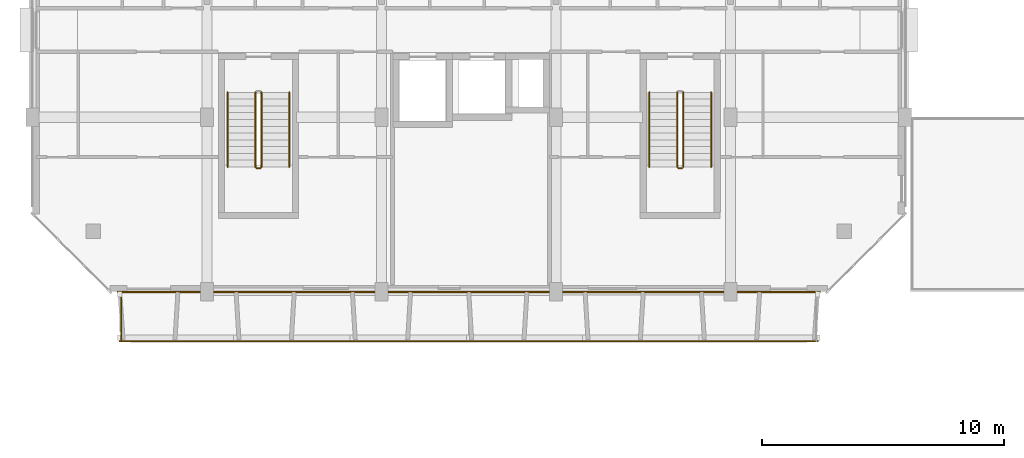
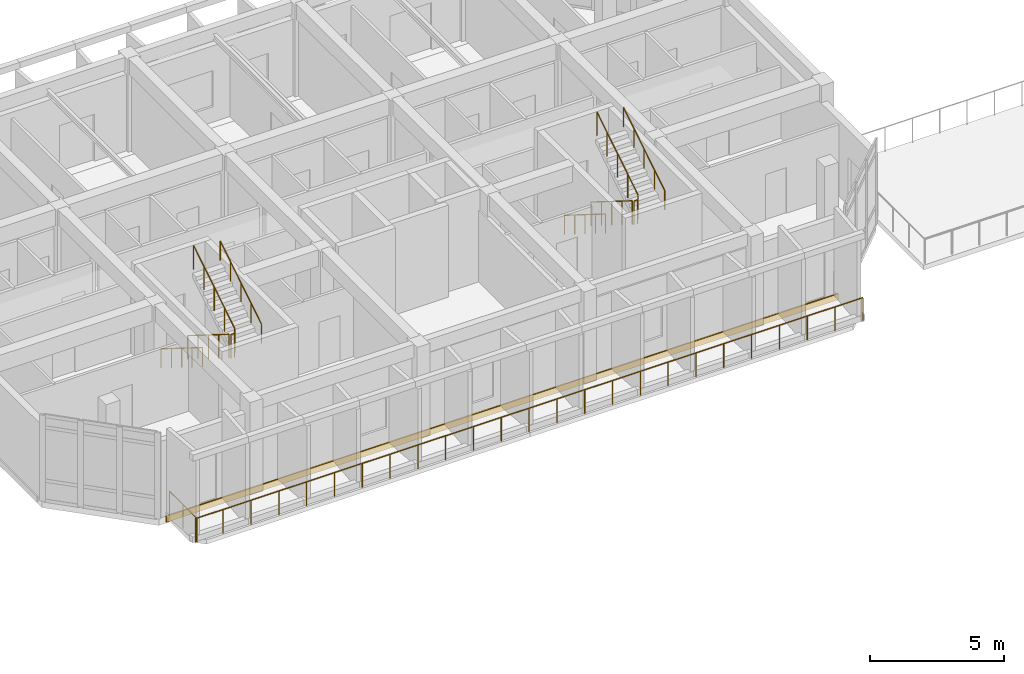
# One storey, part 73 of 85: 12 railings, 1 covering.
"""IFC4 building model written with IfcOpenShell, lengths in metres."""

from ifc_helpers import new_model, si_unit, direction, frame, origin, origin_2d, place, context, subcontext, project, spatial, rectangle, circle, extrude, material, layer, layer_set, type_object, element, save


model = new_model("IFC4")

# Units and contexts
model_context = context("Model", 3, precision=1e-05, world=origin(), true_north=direction((0.0, 1.0)))
body_context = subcontext(model_context, "Body", "Model", "MODEL_VIEW")
ifc_project = project(units=[si_unit("LENGTHUNIT", "METRE"), si_unit("AREAUNIT", "SQUARE_METRE"), si_unit("VOLUMEUNIT", "CUBIC_METRE"), si_unit("PLANEANGLEUNIT", "RADIAN"), si_unit("MASSUNIT", "GRAM", prefix="KILO")], contexts=[model_context])

# Site, building, storey
site_placement = place(None, origin())
site = spatial("IfcSite", under=ifc_project, at=site_placement, CompositionType="ELEMENT")
building_placement = place(site_placement, origin())
building = spatial("IfcBuilding", under=site, at=building_placement, Name="Ochrevale Crest", CompositionType="ELEMENT")
storey_placement = place(building_placement, frame((0.0, 0.0, 4.5)))
storey = spatial("IfcBuildingStorey", under=building, at=storey_placement, Name="L01", CompositionType="ELEMENT", Elevation=4.5)

# Covering
ifc_material_1 = material(Name="Glazed terracotta rainscreen tile", Category="masonry")
ifc_layer = layer(ifc_material_1, 0.048095703125)
ifc_layer_set = layer_set([ifc_layer], Name="Glazed terracotta rainscreen tile")
covering_type = type_object("IfcCoveringType", Name="COV-CLAD-TER", PredefinedType="CLADDING", material=ifc_layer_set)
covering_placement = place(storey_placement, frame((18.0, 71.987548828125, -0.26025390625), z_axis=(0.0, 0.0, 1.0), x_axis=(1.0, 0.0, 0.0)))
element("IfcCovering", 1, at=covering_placement, inside=storey, type_object=covering_type, Name="Block B L01 terracotta slab-edge spandrel cladding", PredefinedType="CLADDING", context=body_context, shape_type="SweptSolid", body=[
    extrude(rectangle(XDim=29.0, YDim=0.06005859375, at=origin_2d()), origin(), (0.0, 0.0, 1.0), 0.280029296875),
])

# Railings
ifc_material_2 = material(Name="Galvanised steel", Category="steel")
railing_type_1 = type_object("IfcRailingType", Name="RL-BAL-1100", PredefinedType="BALUSTRADE", material=ifc_material_2)
railing_1_placement = place(storey_placement, frame((3.60009765625, 69.9599609375, 0.0)))
element("IfcRailing", 2, at=railing_1_placement, inside=storey, type_object=railing_type_1, Name="Block B L01 S balcony front balustrade", PredefinedType="BALUSTRADE", context=body_context, shape_type="SweptSolid", body=[
    extrude(circle(Radius=0.02392578125, at=origin_2d()), frame((0.0, 0.0, 1.0859375), z_axis=(1.0, 0.0, 0.0), x_axis=(0.0, 1.0, 0.0)), (0.0, 0.0, 1.0), 28.7998046875),
    extrude(circle(Radius=0.02099609375, at=origin_2d()), origin(), (0.0, 0.0, 1.0), 1.06201171875),
    extrude(circle(Radius=0.02099609375, at=origin_2d()), frame((1.199951171875, 0.0, 0.0)), (0.0, 0.0, 1.0), 1.06201171875),
    extrude(circle(Radius=0.02099609375, at=origin_2d()), frame((2.39990234375, 0.0, 0.0)), (0.0, 0.0, 1.0), 1.06201171875),
    extrude(circle(Radius=0.02099609375, at=origin_2d()), frame((3.60009765625, 0.0, 0.0)), (0.0, 0.0, 1.0), 1.06201171875),
    extrude(circle(Radius=0.02099609375, at=origin_2d()), frame((4.800048828125, 0.0, 0.0)), (0.0, 0.0, 1.0), 1.06201171875),
    extrude(circle(Radius=0.02099609375, at=origin_2d()), frame((6.0, 0.0, 0.0)), (0.0, 0.0, 1.0), 1.06201171875),
    extrude(circle(Radius=0.02099609375, at=origin_2d()), frame((7.199951171875, 0.0, 0.0)), (0.0, 0.0, 1.0), 1.06201171875),
    extrude(circle(Radius=0.02099609375, at=origin_2d()), frame((8.39990234375, 0.0, 0.0)), (0.0, 0.0, 1.0), 1.06201171875),
    extrude(circle(Radius=0.02099609375, at=origin_2d()), frame((9.599853515625, 0.0, 0.0)), (0.0, 0.0, 1.0), 1.06201171875),
    extrude(circle(Radius=0.02099609375, at=origin_2d()), frame((10.7998046875, 0.0, 0.0)), (0.0, 0.0, 1.0), 1.06201171875),
    extrude(circle(Radius=0.02099609375, at=origin_2d()), frame((12.0, 0.0, 0.0)), (0.0, 0.0, 1.0), 1.06201171875),
    extrude(circle(Radius=0.02099609375, at=origin_2d()), frame((13.199951171875, 0.0, 0.0)), (0.0, 0.0, 1.0), 1.06201171875),
    extrude(circle(Radius=0.02099609375, at=origin_2d()), frame((14.39990234375, 0.0, 0.0)), (0.0, 0.0, 1.0), 1.06201171875),
    extrude(circle(Radius=0.02099609375, at=origin_2d()), frame((15.599853515625, 0.0, 0.0)), (0.0, 0.0, 1.0), 1.06201171875),
    extrude(circle(Radius=0.02099609375, at=origin_2d()), frame((16.7998046875, 0.0, 0.0)), (0.0, 0.0, 1.0), 1.06201171875),
    extrude(circle(Radius=0.02099609375, at=origin_2d()), frame((18.0, 0.0, 0.0)), (0.0, 0.0, 1.0), 1.06201171875),
    extrude(circle(Radius=0.02099609375, at=origin_2d()), frame((19.199951171875, 0.0, 0.0)), (0.0, 0.0, 1.0), 1.06201171875),
    extrude(circle(Radius=0.02099609375, at=origin_2d()), frame((20.39990234375, 0.0, 0.0)), (0.0, 0.0, 1.0), 1.06201171875),
    extrude(circle(Radius=0.02099609375, at=origin_2d()), frame((21.599853515625, 0.0, 0.0)), (0.0, 0.0, 1.0), 1.06201171875),
    extrude(circle(Radius=0.02099609375, at=origin_2d()), frame((22.7998046875, 0.0, 0.0)), (0.0, 0.0, 1.0), 1.06201171875),
    extrude(circle(Radius=0.02099609375, at=origin_2d()), frame((23.999755859375, 0.0, 0.0)), (0.0, 0.0, 1.0), 1.06201171875),
    extrude(circle(Radius=0.02099609375, at=origin_2d()), frame((25.19970703125, 0.0, 0.0)), (0.0, 0.0, 1.0), 1.06201171875),
    extrude(circle(Radius=0.02099609375, at=origin_2d()), frame((26.39990234375, 0.0, 0.0)), (0.0, 0.0, 1.0), 1.06201171875),
    extrude(circle(Radius=0.02099609375, at=origin_2d()), frame((27.599853515625, 0.0, 0.0)), (0.0, 0.0, 1.0), 1.06201171875),
    extrude(circle(Radius=0.02099609375, at=origin_2d()), frame((28.7998046875, 0.0, 0.0)), (0.0, 0.0, 1.0), 1.06201171875),
])
railing_2_placement = place(storey_placement, frame((3.659912109375, 72.0, 0.0)))
element("IfcRailing", 3, at=railing_2_placement, inside=storey, type_object=railing_type_1, Name="Block B L01 S-W balcony side guard", PredefinedType="BALUSTRADE", context=body_context, shape_type="SweptSolid", body=[
    extrude(circle(Radius=0.02392578125, at=origin_2d()), frame((0.0, 0.0, 1.0859375), z_axis=(0.0, -1.0, 0.0), x_axis=(1.0, 0.0, 0.0)), (0.0, 0.0, 1.0), 2.0400390625),
    extrude(circle(Radius=0.02099609375, at=origin_2d()), origin(), (0.0, 0.0, 1.0), 1.06201171875),
    extrude(circle(Radius=0.02099609375, at=origin_2d()), frame((0.0, -1.02001953125, 0.0)), (0.0, 0.0, 1.0), 1.06201171875),
    extrude(circle(Radius=0.02099609375, at=origin_2d()), frame((0.0, -2.0400390625, 0.0)), (0.0, 0.0, 1.0), 1.06201171875),
])
railing_type_2 = type_object("IfcRailingType", Name="RL-ST-GUARD", PredefinedType="BALUSTRADE", material=ifc_material_2)
railing_3_placement = place(storey_placement, frame((9.199951171875, 80.22509765625, 0.175048828125)))
element("IfcRailing", 4, at=railing_3_placement, inside=storey, type_object=railing_type_2, Name="L01 ST-B1 stair guard 1", PredefinedType="BALUSTRADE", context=body_context, shape_type="SweptSolid", body=[
    extrude(circle(Radius=0.02392578125, at=origin_2d()), frame((0.0, 0.0, 1.076171875), z_axis=(0.0, -0.847998304005, 0.529998940003), x_axis=(1.0, 0.0, 0.0)), (0.0, 0.0, 1.0), 3.632080078125),
    extrude(circle(Radius=0.02099609375, at=origin_2d()), origin(), (0.0, 0.0, 1.0), 1.052001953125),
    extrude(circle(Radius=0.02099609375, at=origin_2d()), frame((0.0, -0.77001953125, 0.481201171875)), (0.0, 0.0, 1.0), 1.052001953125),
    extrude(circle(Radius=0.02099609375, at=origin_2d()), frame((0.0, -1.5400390625, 0.96240234375)), (0.0, 0.0, 1.0), 1.052001953125),
    extrude(circle(Radius=0.02099609375, at=origin_2d()), frame((0.0, -2.31005859375, 1.44384765625)), (0.0, 0.0, 1.0), 1.052001953125),
    extrude(circle(Radius=0.02099609375, at=origin_2d()), frame((0.0, -3.080078125, 1.925048828125)), (0.0, 0.0, 1.0), 1.052001953125),
])
railing_4_placement = place(storey_placement, frame((9.25, 77.094970703125, 2.10009765625)))
element("IfcRailing", 5, at=railing_4_placement, inside=storey, type_object=railing_type_2, Name="L01 ST-B1 stair guard 2", PredefinedType="BALUSTRADE", context=body_context, shape_type="SweptSolid", body=[
    extrude(circle(Radius=0.02392578125, at=origin_2d()), frame((0.0, 0.0, 1.076171875), z_axis=(1.0, 0.0, 0.0), x_axis=(0.0, 1.0, 0.0)), (0.0, 0.0, 1.0), 0.14990234375),
    extrude(circle(Radius=0.02099609375, at=origin_2d()), origin(), (0.0, 0.0, 1.0), 1.052001953125),
    extrude(circle(Radius=0.02099609375, at=origin_2d()), frame((0.14990234375, 0.0, 0.0)), (0.0, 0.0, 1.0), 1.052001953125),
])
railing_5_placement = place(storey_placement, frame((9.449951171875, 77.14501953125, 2.27490234375)))
element("IfcRailing", 6, at=railing_5_placement, inside=storey, type_object=railing_type_2, Name="L01 ST-B1 stair guard 3", PredefinedType="BALUSTRADE", context=body_context, shape_type="SweptSolid", body=[
    extrude(circle(Radius=0.02392578125, at=origin_2d()), frame((0.0, 0.0, 1.076171875), z_axis=(0.0, 0.847998304005, 0.529998940003), x_axis=(-1.0, 0.0, 0.0)), (0.0, 0.0, 1.0), 3.632080078125),
    extrude(circle(Radius=0.02099609375, at=origin_2d()), origin(), (0.0, 0.0, 1.0), 1.052001953125),
    extrude(circle(Radius=0.02099609375, at=origin_2d()), frame((0.0, 0.77001953125, 0.481201171875)), (0.0, 0.0, 1.0), 1.052001953125),
    extrude(circle(Radius=0.02099609375, at=origin_2d()), frame((0.0, 1.5400390625, 0.96240234375)), (0.0, 0.0, 1.0), 1.052001953125),
    extrude(circle(Radius=0.02099609375, at=origin_2d()), frame((0.0, 2.31005859375, 1.44384765625)), (0.0, 0.0, 1.0), 1.052001953125),
    extrude(circle(Radius=0.02099609375, at=origin_2d()), frame((0.0, 3.080078125, 1.925048828125)), (0.0, 0.0, 1.0), 1.052001953125),
])
railing_6_placement = place(storey_placement, frame((26.60009765625, 80.22509765625, 0.175048828125)))
element("IfcRailing", 7, at=railing_6_placement, inside=storey, type_object=railing_type_2, Name="L01 ST-B2 stair guard 1", PredefinedType="BALUSTRADE", context=body_context, shape_type="SweptSolid", body=[
    extrude(circle(Radius=0.02392578125, at=origin_2d()), frame((0.0, 0.0, 1.076171875), z_axis=(0.0, -0.847998304005, 0.529998940003), x_axis=(1.0, 0.0, 0.0)), (0.0, 0.0, 1.0), 3.632080078125),
    extrude(circle(Radius=0.02099609375, at=origin_2d()), origin(), (0.0, 0.0, 1.0), 1.052001953125),
    extrude(circle(Radius=0.02099609375, at=origin_2d()), frame((0.0, -0.77001953125, 0.481201171875)), (0.0, 0.0, 1.0), 1.052001953125),
    extrude(circle(Radius=0.02099609375, at=origin_2d()), frame((0.0, -1.5400390625, 0.96240234375)), (0.0, 0.0, 1.0), 1.052001953125),
    extrude(circle(Radius=0.02099609375, at=origin_2d()), frame((0.0, -2.31005859375, 1.44384765625)), (0.0, 0.0, 1.0), 1.052001953125),
    extrude(circle(Radius=0.02099609375, at=origin_2d()), frame((0.0, -3.080078125, 1.925048828125)), (0.0, 0.0, 1.0), 1.052001953125),
])
railing_7_placement = place(storey_placement, frame((26.64990234375, 77.094970703125, 2.10009765625)))
element("IfcRailing", 8, at=railing_7_placement, inside=storey, type_object=railing_type_2, Name="L01 ST-B2 stair guard 2", PredefinedType="BALUSTRADE", context=body_context, shape_type="SweptSolid", body=[
    extrude(circle(Radius=0.02392578125, at=origin_2d()), frame((0.0, 0.0, 1.076171875), z_axis=(1.0, 0.0, 0.0), x_axis=(0.0, 1.0, 0.0)), (0.0, 0.0, 1.0), 0.150146484375),
    extrude(circle(Radius=0.02099609375, at=origin_2d()), origin(), (0.0, 0.0, 1.0), 1.052001953125),
    extrude(circle(Radius=0.02099609375, at=origin_2d()), frame((0.150146484375, 0.0, 0.0)), (0.0, 0.0, 1.0), 1.052001953125),
])
railing_8_placement = place(storey_placement, frame((26.85009765625, 77.14501953125, 2.27490234375)))
element("IfcRailing", 9, at=railing_8_placement, inside=storey, type_object=railing_type_2, Name="L01 ST-B2 stair guard 3", PredefinedType="BALUSTRADE", context=body_context, shape_type="SweptSolid", body=[
    extrude(circle(Radius=0.02392578125, at=origin_2d()), frame((0.0, 0.0, 1.076171875), z_axis=(0.0, 0.847998304005, 0.529998940003), x_axis=(-1.0, 0.0, 0.0)), (0.0, 0.0, 1.0), 3.632080078125),
    extrude(circle(Radius=0.02099609375, at=origin_2d()), origin(), (0.0, 0.0, 1.0), 1.052001953125),
    extrude(circle(Radius=0.02099609375, at=origin_2d()), frame((0.0, 0.77001953125, 0.481201171875)), (0.0, 0.0, 1.0), 1.052001953125),
    extrude(circle(Radius=0.02099609375, at=origin_2d()), frame((0.0, 1.5400390625, 0.96240234375)), (0.0, 0.0, 1.0), 1.052001953125),
    extrude(circle(Radius=0.02099609375, at=origin_2d()), frame((0.0, 2.31005859375, 1.44384765625)), (0.0, 0.0, 1.0), 1.052001953125),
    extrude(circle(Radius=0.02099609375, at=origin_2d()), frame((0.0, 3.080078125, 1.925048828125)), (0.0, 0.0, 1.0), 1.052001953125),
])
ifc_material_3 = material(Name="Stainless steel", Category="steel")
railing_type_3 = type_object("IfcRailingType", Name="RL-ST-HRAIL", PredefinedType="HANDRAIL", material=ifc_material_3)
railing_9_placement = place(storey_placement, frame((8.050048828125, 80.22509765625, 0.175048828125)))
element("IfcRailing", 10, at=railing_9_placement, inside=storey, type_object=railing_type_3, Name="L01 ST-B1 stair handrail 1", PredefinedType="HANDRAIL", context=body_context, shape_type="SweptSolid", body=[
    extrude(circle(Radius=0.02392578125, at=origin_2d()), frame((0.0, 0.0, 0.8759765625), z_axis=(0.0, -0.847998304005, 0.529998940003), x_axis=(1.0, 0.0, 0.0)), (0.0, 0.0, 1.0), 3.632080078125),
    extrude(circle(Radius=0.02099609375, at=origin_2d()), origin(), (0.0, 0.0, 1.0), 0.851806640625),
    extrude(circle(Radius=0.02099609375, at=origin_2d()), frame((0.0, -0.77001953125, 0.481201171875)), (0.0, 0.0, 1.0), 0.851806640625),
    extrude(circle(Radius=0.02099609375, at=origin_2d()), frame((0.0, -1.5400390625, 0.96240234375)), (0.0, 0.0, 1.0), 0.851806640625),
    extrude(circle(Radius=0.02099609375, at=origin_2d()), frame((0.0, -2.31005859375, 1.44384765625)), (0.0, 0.0, 1.0), 0.851806640625),
    extrude(circle(Radius=0.02099609375, at=origin_2d()), frame((0.0, -3.080078125, 1.925048828125)), (0.0, 0.0, 1.0), 0.851806640625),
])
railing_10_placement = place(storey_placement, frame((10.60009765625, 77.14501953125, 2.27490234375)))
element("IfcRailing", 11, at=railing_10_placement, inside=storey, type_object=railing_type_3, Name="L01 ST-B1 stair handrail 2", PredefinedType="HANDRAIL", context=body_context, shape_type="SweptSolid", body=[
    extrude(circle(Radius=0.02392578125, at=origin_2d()), frame((0.0, 0.0, 0.8759765625), z_axis=(0.0, 0.847998304005, 0.529998940003), x_axis=(-1.0, 0.0, 0.0)), (0.0, 0.0, 1.0), 3.632080078125),
    extrude(circle(Radius=0.02099609375, at=origin_2d()), origin(), (0.0, 0.0, 1.0), 0.851806640625),
    extrude(circle(Radius=0.02099609375, at=origin_2d()), frame((0.0, 0.77001953125, 0.481201171875)), (0.0, 0.0, 1.0), 0.851806640625),
    extrude(circle(Radius=0.02099609375, at=origin_2d()), frame((0.0, 1.5400390625, 0.96240234375)), (0.0, 0.0, 1.0), 0.851806640625),
    extrude(circle(Radius=0.02099609375, at=origin_2d()), frame((0.0, 2.31005859375, 1.44384765625)), (0.0, 0.0, 1.0), 0.851806640625),
    extrude(circle(Radius=0.02099609375, at=origin_2d()), frame((0.0, 3.080078125, 1.925048828125)), (0.0, 0.0, 1.0), 0.851806640625),
])
railing_11_placement = place(storey_placement, frame((25.449951171875, 80.22509765625, 0.175048828125)))
element("IfcRailing", 12, at=railing_11_placement, inside=storey, type_object=railing_type_3, Name="L01 ST-B2 stair handrail 1", PredefinedType="HANDRAIL", context=body_context, shape_type="SweptSolid", body=[
    extrude(circle(Radius=0.02392578125, at=origin_2d()), frame((0.0, 0.0, 0.8759765625), z_axis=(0.0, -0.847998304005, 0.529998940003), x_axis=(1.0, 0.0, 0.0)), (0.0, 0.0, 1.0), 3.632080078125),
    extrude(circle(Radius=0.02099609375, at=origin_2d()), origin(), (0.0, 0.0, 1.0), 0.851806640625),
    extrude(circle(Radius=0.02099609375, at=origin_2d()), frame((0.0, -0.77001953125, 0.481201171875)), (0.0, 0.0, 1.0), 0.851806640625),
    extrude(circle(Radius=0.02099609375, at=origin_2d()), frame((0.0, -1.5400390625, 0.96240234375)), (0.0, 0.0, 1.0), 0.851806640625),
    extrude(circle(Radius=0.02099609375, at=origin_2d()), frame((0.0, -2.31005859375, 1.44384765625)), (0.0, 0.0, 1.0), 0.851806640625),
    extrude(circle(Radius=0.02099609375, at=origin_2d()), frame((0.0, -3.080078125, 1.925048828125)), (0.0, 0.0, 1.0), 0.851806640625),
])
railing_12_placement = place(storey_placement, frame((28.0, 77.14501953125, 2.27490234375)))
element("IfcRailing", 13, at=railing_12_placement, inside=storey, type_object=railing_type_3, Name="L01 ST-B2 stair handrail 2", PredefinedType="HANDRAIL", context=body_context, shape_type="SweptSolid", body=[
    extrude(circle(Radius=0.02392578125, at=origin_2d()), frame((0.0, 0.0, 0.8759765625), z_axis=(0.0, 0.847998304005, 0.529998940003), x_axis=(-1.0, 0.0, 0.0)), (0.0, 0.0, 1.0), 3.632080078125),
    extrude(circle(Radius=0.02099609375, at=origin_2d()), origin(), (0.0, 0.0, 1.0), 0.851806640625),
    extrude(circle(Radius=0.02099609375, at=origin_2d()), frame((0.0, 0.77001953125, 0.481201171875)), (0.0, 0.0, 1.0), 0.851806640625),
    extrude(circle(Radius=0.02099609375, at=origin_2d()), frame((0.0, 1.5400390625, 0.96240234375)), (0.0, 0.0, 1.0), 0.851806640625),
    extrude(circle(Radius=0.02099609375, at=origin_2d()), frame((0.0, 2.31005859375, 1.44384765625)), (0.0, 0.0, 1.0), 0.851806640625),
    extrude(circle(Radius=0.02099609375, at=origin_2d()), frame((0.0, 3.080078125, 1.925048828125)), (0.0, 0.0, 1.0), 0.851806640625),
])

save(model, "model.ifc")
